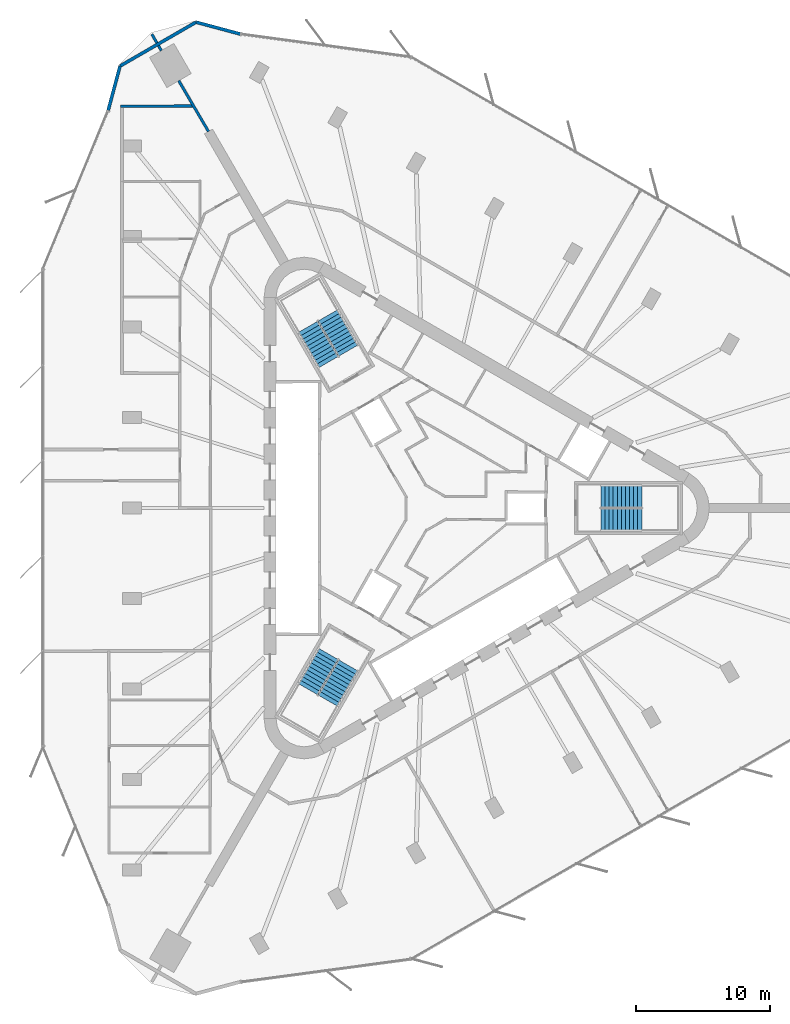
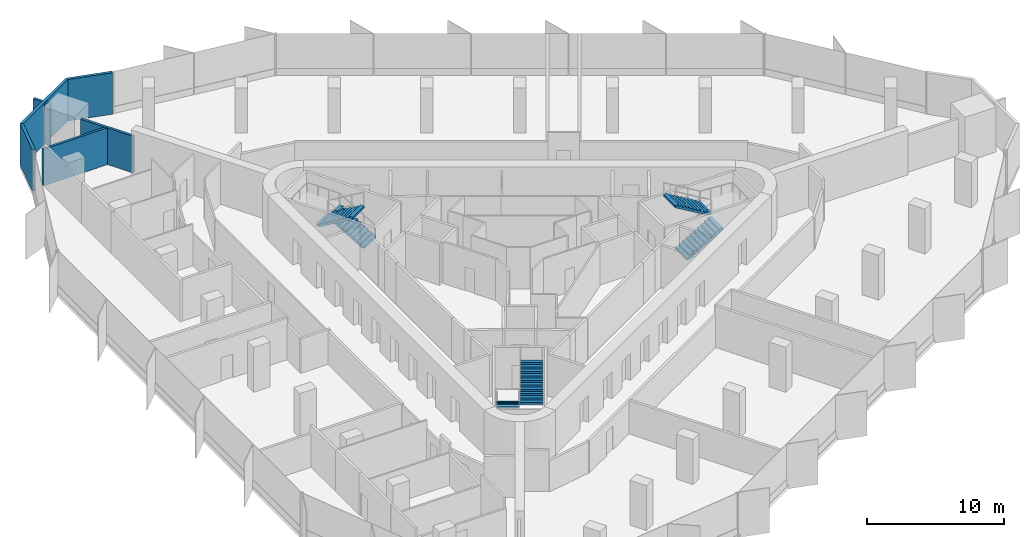
# One storey, part 13 of 14: 7 walls, 6 stair flights, 3 elements without a shape of their own.
"""IFC4 building model written with IfcOpenShell, lengths in metres."""

from ifc_helpers import new_model, si_unit, direction, frame, frame_2d, origin, place, context, subcontext, project, spatial, polyline, rectangle, outline, extrude, material, layer, layer_set, type_object, element, aggregate, save


model = new_model("IFC4")

# Units and contexts
model_context = context("Model", 3, precision=1e-05, world=origin(), true_north=direction((0.0, 1.0)))
body_context = subcontext(model_context, "Body", "Model", "MODEL_VIEW")
ifc_project = project(units=[si_unit("LENGTHUNIT", "METRE"), si_unit("AREAUNIT", "SQUARE_METRE"), si_unit("VOLUMEUNIT", "CUBIC_METRE"), si_unit("PLANEANGLEUNIT", "RADIAN"), si_unit("MASSUNIT", "GRAM", prefix="KILO")], contexts=[model_context])

# Site, building, storey
site_placement = place(None, origin())
site = spatial("IfcSite", under=ifc_project, at=site_placement, CompositionType="ELEMENT")
building_placement = place(site_placement, origin())
building = spatial("IfcBuilding", under=site, at=building_placement, Name="Tanit Gate Tower", CompositionType="ELEMENT")
storey_placement = place(building_placement, frame((0.0, 0.0, 233.199951171875)))
storey = spatial("IfcBuildingStorey", under=building, at=storey_placement, Name="L52", CompositionType="ELEMENT", Elevation=233.199951171875)

# Walls
ifc_material_1 = material(Name="Concrete C30/37 with bronze anodised aluminium cladding", Category="concrete")
ifc_layer_1 = layer(ifc_material_1, 0.239990234375)
ifc_layer_set_1 = layer_set([ifc_layer_1], Name="Facade wall bronze clad 240")
wall_type_1 = type_object("IfcWallType", Name="Facade wall bronze clad 240", PredefinedType="SOLIDWALL", material=ifc_layer_set_1)
wall_1_placement = place(storey_placement, frame((-13.86962890625, 35.449462890625, 0.0), z_axis=(0.0, 0.0, 1.0), x_axis=(-0.965919522093, 0.258842571536, 0.0)))
element("IfcWall", 1, at=wall_1_placement, inside=storey, type_object=wall_type_1, Name="Bronze-clad facade wall L52 NW.arc1", PredefinedType="SOLIDWALL", context=body_context, shape_type="SweptSolid", body=[
    extrude(rectangle(XDim=3.43798828125, YDim=0.239990234375, at=frame_2d((1.718994140625, 0.0))), origin(), (0.0, 0.0, 1.0), 3.699951171875),
])
wall_2_placement = place(storey_placement, frame((-17.1904296875, 36.33935546875, 0.0), z_axis=(0.0, 0.0, 1.0), x_axis=(-0.866012172048, -0.50002291734, 0.0)))
element("IfcWall", 2, at=wall_2_placement, inside=storey, type_object=wall_type_1, Name="Bronze-clad facade wall L52 NW.arc2", PredefinedType="SOLIDWALL", context=body_context, shape_type="SweptSolid", body=[
    extrude(rectangle(XDim=6.564697265625, YDim=0.239990234375, at=frame_2d((3.2822265625, 0.0))), origin(), (0.0, 0.0, 1.0), 3.699951171875),
])
wall_3_placement = place(storey_placement, frame((-22.87548828125, 33.056884765625, 0.0), z_axis=(0.0, 0.0, 1.0), x_axis=(-0.258842571536, -0.965919522093, 0.0)))
element("IfcWall", 3, at=wall_3_placement, inside=storey, type_object=wall_type_1, Name="Bronze-clad facade wall L52 NW.arc3", PredefinedType="SOLIDWALL", context=body_context, shape_type="SweptSolid", body=[
    extrude(rectangle(XDim=3.43798828125, YDim=0.239990234375, at=frame_2d((1.718994140625, 0.0))), origin(), (0.0, 0.0, 1.0), 3.699951171875),
])
ifc_material_2 = material(Name="Fire-rated gypsum board partition")
ifc_layer_2 = layer(ifc_material_2, 0.199951171875)
ifc_layer_set_2 = layer_set([ifc_layer_2], Name="INT-WALL-COMPARTMENT")
wall_type_2 = type_object("IfcWallType", Name="INT-WALL-COMPARTMENT", PredefinedType="PARTITIONING", material=ifc_layer_set_2)
wall_4_placement = place(storey_placement, frame((-20.49462890625, 35.437744140625, 0.0), z_axis=(0.0, 0.0, 1.0), x_axis=(0.500088105676, -0.865974529972, 0.0)))
element("IfcWall", 4, at=wall_4_placement, inside=storey, type_object=wall_type_2, Name="Wall Compartment W137", PredefinedType="PARTITIONING", context=body_context, shape_type="SweptSolid", body=[
    extrude(rectangle(XDim=0.751220703125, YDim=0.199951171875, at=frame_2d((0.37548828125, 0.0))), origin(), (0.0, 0.0, 1.0), 3.699951171875),
])
wall_5_placement = place(storey_placement, frame((-19.9990234375, 34.5791015625, 0.0), z_axis=(0.0, 0.0, 1.0), x_axis=(0.50001992892, -0.866013897511, 0.0)))
element("IfcWall", 5, at=wall_5_placement, inside=storey, type_object=wall_type_2, Name="Wall Compartment W137x1", PredefinedType="PARTITIONING", context=body_context, shape_type="SweptSolid", body=[
    extrude(rectangle(XDim=0.42626953125, YDim=0.199951171875, at=frame_2d((0.213134765625, 0.0))), origin(), (0.0, 0.0, 1.0), 3.699951171875),
])
wall_6_placement = place(storey_placement, frame((-18.48583984375, 31.958251953125, 0.0), z_axis=(0.0, 0.0, 1.0), x_axis=(0.505921624166, -0.86257945153, 0.0)))
element("IfcWall", 6, at=wall_6_placement, inside=storey, type_object=wall_type_2, Name="Wall Compartment W138", PredefinedType="PARTITIONING", context=body_context, shape_type="SweptSolid", body=[
    extrude(rectangle(XDim=4.4013671875, YDim=0.199951171875, at=frame_2d((2.20068359375, 0.0))), origin(), (0.0, 0.0, 1.0), 3.27001953125),
])
wall_7_placement = place(storey_placement, frame((-17.36083984375, 30.070068359375, 0.0), z_axis=(0.0, 0.0, 1.0), x_axis=(-0.999984432951, -0.005579772079, 0.0)))
element("IfcWall", 7, at=wall_7_placement, inside=storey, type_object=wall_type_2, Name="Wall Compartment W143", PredefinedType="PARTITIONING", context=body_context, shape_type="SweptSolid", body=[
    extrude(rectangle(XDim=5.46923828125, YDim=0.199951171875, at=frame_2d((2.734619140625, 0.0))), origin(), (0.0, 0.0, 1.0), 3.27001953125),
])

# Stair, stair flights
ifc_material_3 = material(Name="Concrete C40/50", Category="concrete")
stair_type = type_object("IfcStairType", Name="INT-STAIR-EXIT", PredefinedType="HALF_TURN_STAIR", material=ifc_material_3)
stair_1_placement = place(storey_placement, origin())
stair_1 = element("IfcStair", 8, at=stair_1_placement, inside=storey, type_object=stair_type, Name="L52 STAIR S1", PredefinedType="HALF_TURN_STAIR")
ifc_material_4 = material(Name="Concrete C40/50", Category="concrete")
stair_flight_type = type_object("IfcStairFlightType", Name="INT-STAIR-FLIGHT", PredefinedType="STRAIGHT", material=ifc_material_4)
stair_flight_1_placement = place(storey_placement, frame((13.094970703125, -0.8525390625, 0.0), z_axis=(0.0, 0.0, 1.0), x_axis=(1.0, 0.0, 0.0)))
stair_flight_1 = element("IfcStairFlight", 9, at=stair_flight_1_placement, type_object=stair_flight_type, Name="S1 flight 1", NumberOfRisers=11, NumberOfTreads=10, PredefinedType="STRAIGHT", RiserHeight=0.181818182, TreadLength=0.3051, context=body_context, shape_type="SweptSolid", body=[
    extrude(outline(polyline([(0.0, 0.0), (0.0, 0.181884765625), (0.30517578125, 0.181884765625), (0.30517578125, 0.363525390625), (0.610107421875, 0.363525390625), (0.610107421875, 0.54541015625), (0.915283203125, 0.54541015625), (0.915283203125, 0.727294921875), (1.220458984375, 0.727294921875), (1.220458984375, 0.9091796875), (1.525390625, 0.9091796875), (1.525390625, 1.0908203125), (1.83056640625, 1.0908203125), (1.83056640625, 1.272705078125), (2.1357421875, 1.272705078125), (2.1357421875, 1.45458984375), (2.44091796875, 1.45458984375), (2.44091796875, 1.636474609375), (2.745849609375, 1.636474609375), (2.745849609375, 1.818115234375), (3.051025390625, 1.818115234375), (3.051025390625, 2.0), (3.051025390625, 1.643798828125), (0.292724609375, 0.0), (0.0, 0.0)])), frame((0.0, 0.84765625, 0.0), z_axis=(0.0, -1.0, 0.0), x_axis=(1.0, 0.0, 0.0)), (0.0, 0.0, 1.0), 1.695068359375),
])
stair_flight_2_placement = place(storey_placement, frame((16.14599609375, 0.8525390625, 2.0), z_axis=(0.0, 0.0, 1.0), x_axis=(-1.0, 0.0, 0.0)))
stair_flight_2 = element("IfcStairFlight", 10, at=stair_flight_2_placement, type_object=stair_flight_type, Name="S1 flight 2", NumberOfRisers=11, NumberOfTreads=10, PredefinedType="STRAIGHT", RiserHeight=0.181818182, TreadLength=0.3051, context=body_context, shape_type="SweptSolid", body=[
    extrude(outline(polyline([(0.0, 0.0), (0.0, 0.181884765625), (0.30517578125, 0.181884765625), (0.30517578125, 0.363525390625), (0.610107421875, 0.363525390625), (0.610107421875, 0.54541015625), (0.915283203125, 0.54541015625), (0.915283203125, 0.727294921875), (1.220458984375, 0.727294921875), (1.220458984375, 0.9091796875), (1.525390625, 0.9091796875), (1.525390625, 1.0908203125), (1.83056640625, 1.0908203125), (1.83056640625, 1.272705078125), (2.1357421875, 1.272705078125), (2.1357421875, 1.45458984375), (2.44091796875, 1.45458984375), (2.44091796875, 1.636474609375), (2.745849609375, 1.636474609375), (2.745849609375, 1.818115234375), (3.051025390625, 1.818115234375), (3.051025390625, 2.0), (3.051025390625, 1.643798828125), (0.292724609375, 0.0), (0.0, 0.0)])), frame((0.0, 0.84765625, 0.0), z_axis=(0.0, -1.0, 0.0), x_axis=(1.0, 0.0, 0.0)), (0.0, 0.0, 1.0), 1.695068359375),
])
aggregate(stair_1, [stair_flight_1, stair_flight_2])

stair_2_placement = place(storey_placement, origin())
stair_2 = element("IfcStair", 11, at=stair_2_placement, inside=storey, type_object=stair_type, Name="L52 STAIR S2", PredefinedType="HALF_TURN_STAIR")
stair_flight_3_placement = place(storey_placement, frame((-5.808349609375, 11.766357421875, 0.0), z_axis=(0.0, 0.0, 1.0), x_axis=(-0.5, 0.866025403784, 0.0)))
stair_flight_3 = element("IfcStairFlight", 12, at=stair_flight_3_placement, type_object=stair_flight_type, Name="S2 flight 1", NumberOfRisers=11, NumberOfTreads=10, PredefinedType="STRAIGHT", RiserHeight=0.181818182, TreadLength=0.30492, context=body_context, shape_type="SweptSolid", body=[
    extrude(outline(polyline([(0.0, 0.0), (0.0, 0.181884765625), (0.304931640625, 0.181884765625), (0.304931640625, 0.363525390625), (0.60986328125, 0.363525390625), (0.60986328125, 0.54541015625), (0.914794921875, 0.54541015625), (0.914794921875, 0.727294921875), (1.2197265625, 0.727294921875), (1.2197265625, 0.9091796875), (1.524658203125, 0.9091796875), (1.524658203125, 1.0908203125), (1.82958984375, 1.0908203125), (1.82958984375, 1.272705078125), (2.134521484375, 1.272705078125), (2.134521484375, 1.45458984375), (2.439453125, 1.45458984375), (2.439453125, 1.636474609375), (2.744384765625, 1.636474609375), (2.744384765625, 1.818115234375), (3.04931640625, 1.818115234375), (3.04931640625, 2.0), (3.04931640625, 1.6435546875), (0.292724609375, 0.0), (0.0, 0.0)])), frame((0.0, 0.84716796875, 0.0), z_axis=(0.0, -1.0, 0.0), x_axis=(1.0, 0.0, 0.0)), (0.0, 0.0, 1.0), 1.694091796875),
])
stair_flight_4_placement = place(storey_placement, frame((-8.810302734375, 13.553955078125, 2.0), z_axis=(0.0, 0.0, 1.0), x_axis=(0.5, -0.866025403784, 0.0)))
stair_flight_4 = element("IfcStairFlight", 13, at=stair_flight_4_placement, type_object=stair_flight_type, Name="S2 flight 2", NumberOfRisers=11, NumberOfTreads=10, PredefinedType="STRAIGHT", RiserHeight=0.181818182, TreadLength=0.30492, context=body_context, shape_type="SweptSolid", body=[
    extrude(outline(polyline([(0.0, 0.0), (0.0, 0.181884765625), (0.304931640625, 0.181884765625), (0.304931640625, 0.363525390625), (0.60986328125, 0.363525390625), (0.60986328125, 0.54541015625), (0.914794921875, 0.54541015625), (0.914794921875, 0.727294921875), (1.2197265625, 0.727294921875), (1.2197265625, 0.9091796875), (1.524658203125, 0.9091796875), (1.524658203125, 1.0908203125), (1.82958984375, 1.0908203125), (1.82958984375, 1.272705078125), (2.134521484375, 1.272705078125), (2.134521484375, 1.45458984375), (2.439453125, 1.45458984375), (2.439453125, 1.636474609375), (2.744384765625, 1.636474609375), (2.744384765625, 1.818115234375), (3.04931640625, 1.818115234375), (3.04931640625, 2.0), (3.04931640625, 1.6435546875), (0.292724609375, 0.0), (0.0, 0.0)])), frame((0.0, 0.84716796875, 0.0), z_axis=(0.0, -1.0, 0.0), x_axis=(1.0, 0.0, 0.0)), (0.0, 0.0, 1.0), 1.694091796875),
])
aggregate(stair_2, [stair_flight_3, stair_flight_4])

stair_3_placement = place(storey_placement, origin())
stair_3 = element("IfcStair", 14, at=stair_3_placement, inside=storey, type_object=stair_type, Name="L52 STAIR S3", PredefinedType="HALF_TURN_STAIR")
stair_flight_5_placement = place(storey_placement, frame((-7.285888671875, -10.914306640625, 0.0), z_axis=(0.0, 0.0, 1.0), x_axis=(-0.5, -0.866025403784, 0.0)))
stair_flight_5 = element("IfcStairFlight", 15, at=stair_flight_5_placement, type_object=stair_flight_type, Name="S3 flight 1", NumberOfRisers=11, NumberOfTreads=10, PredefinedType="STRAIGHT", RiserHeight=0.181818182, TreadLength=0.3051, context=body_context, shape_type="SweptSolid", body=[
    extrude(outline(polyline([(0.0, 0.0), (0.0, 0.181884765625), (0.30517578125, 0.181884765625), (0.30517578125, 0.363525390625), (0.610107421875, 0.363525390625), (0.610107421875, 0.54541015625), (0.915283203125, 0.54541015625), (0.915283203125, 0.727294921875), (1.220458984375, 0.727294921875), (1.220458984375, 0.9091796875), (1.525390625, 0.9091796875), (1.525390625, 1.0908203125), (1.83056640625, 1.0908203125), (1.83056640625, 1.272705078125), (2.1357421875, 1.272705078125), (2.1357421875, 1.45458984375), (2.44091796875, 1.45458984375), (2.44091796875, 1.636474609375), (2.745849609375, 1.636474609375), (2.745849609375, 1.818115234375), (3.051025390625, 1.818115234375), (3.051025390625, 2.0), (3.051025390625, 1.643798828125), (0.292724609375, 0.0), (0.0, 0.0)])), frame((0.0, 0.84765625, 0.0), z_axis=(0.0, -1.0, 0.0), x_axis=(1.0, 0.0, 0.0)), (0.0, 0.0, 1.0), 1.695068359375),
])
stair_flight_6_placement = place(storey_placement, frame((-7.334716796875, -14.4091796875, 2.0), z_axis=(0.0, 0.0, 1.0), x_axis=(0.5, 0.866025403784, 0.0)))
stair_flight_6 = element("IfcStairFlight", 16, at=stair_flight_6_placement, type_object=stair_flight_type, Name="S3 flight 2", NumberOfRisers=11, NumberOfTreads=10, PredefinedType="STRAIGHT", RiserHeight=0.181818182, TreadLength=0.3051, context=body_context, shape_type="SweptSolid", body=[
    extrude(outline(polyline([(0.0, 0.0), (0.0, 0.181884765625), (0.30517578125, 0.181884765625), (0.30517578125, 0.363525390625), (0.610107421875, 0.363525390625), (0.610107421875, 0.54541015625), (0.915283203125, 0.54541015625), (0.915283203125, 0.727294921875), (1.220458984375, 0.727294921875), (1.220458984375, 0.9091796875), (1.525390625, 0.9091796875), (1.525390625, 1.0908203125), (1.83056640625, 1.0908203125), (1.83056640625, 1.272705078125), (2.1357421875, 1.272705078125), (2.1357421875, 1.45458984375), (2.44091796875, 1.45458984375), (2.44091796875, 1.636474609375), (2.745849609375, 1.636474609375), (2.745849609375, 1.818115234375), (3.051025390625, 1.818115234375), (3.051025390625, 2.0), (3.051025390625, 1.643798828125), (0.292724609375, 0.0), (0.0, 0.0)])), frame((0.0, 0.84765625, 0.0), z_axis=(0.0, -1.0, 0.0), x_axis=(1.0, 0.0, 0.0)), (0.0, 0.0, 1.0), 1.695068359375),
])
aggregate(stair_3, [stair_flight_5, stair_flight_6])

save(model, "model.ifc")
